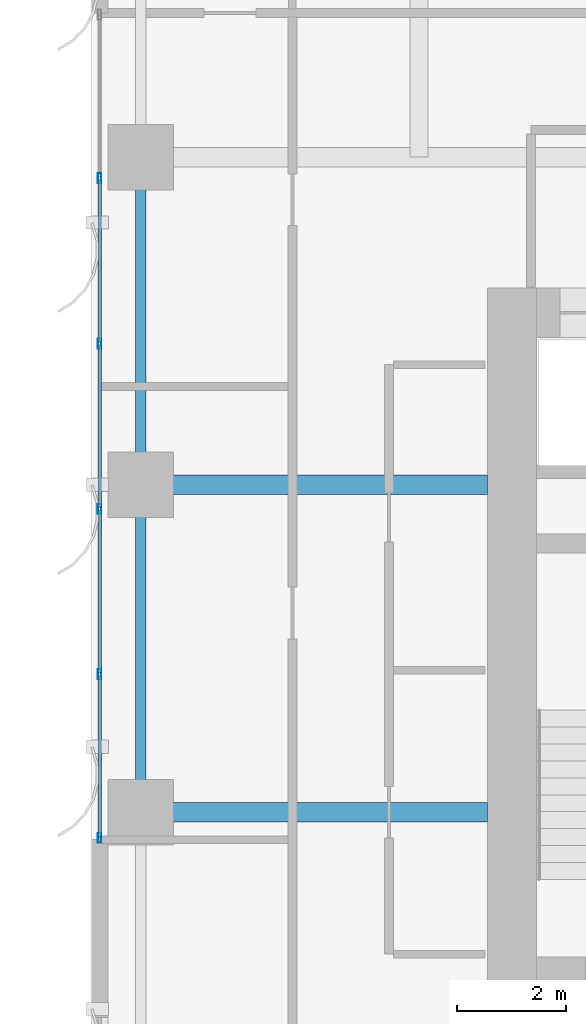
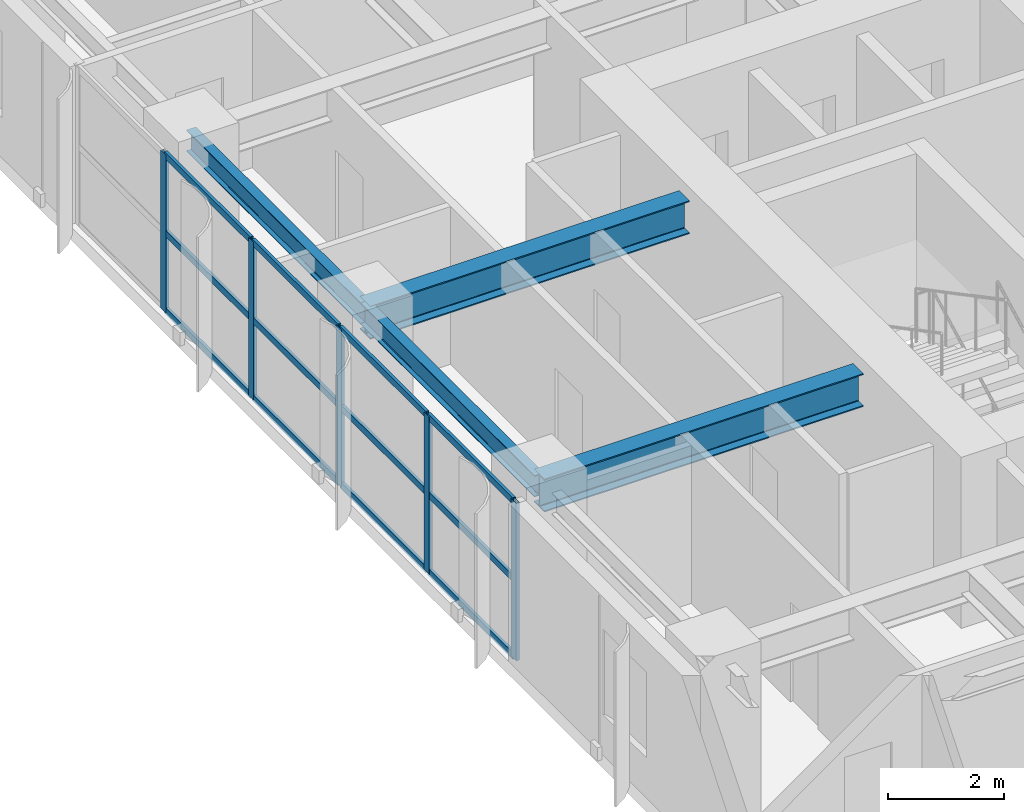
# One storey, part 5 of 25: 17 members, 4 beams, 1 element without a shape of its own.
"""IFC4 building model written with IfcOpenShell, lengths in metres."""

from ifc_helpers import new_model, si_unit, direction, frame, origin, origin_2d, place, context, subcontext, project, spatial, hollow_rectangle, i_section, extrude, source, transform, mapped, material, layer, layer_set, material_profile, profile_set, type_object, element, aggregate, save


model = new_model("IFC4")

# Units and contexts
model_context = context("Model", 3, precision=1e-05, world=origin(), true_north=direction((0.0, 1.0)))
body_context = subcontext(model_context, "Body", "Model", "MODEL_VIEW")
ifc_project = project(units=[si_unit("LENGTHUNIT", "METRE"), si_unit("AREAUNIT", "SQUARE_METRE"), si_unit("VOLUMEUNIT", "CUBIC_METRE"), si_unit("PLANEANGLEUNIT", "RADIAN"), si_unit("MASSUNIT", "GRAM", prefix="KILO")], contexts=[model_context])

# Site, building, storey
site_placement = place(None, origin())
site = spatial("IfcSite", under=ifc_project, at=site_placement, CompositionType="ELEMENT")
building_placement = place(site_placement, origin())
building = spatial("IfcBuilding", under=site, at=building_placement, Name="Khoralis Quay Care Tower", CompositionType="ELEMENT")
storey_placement = place(building_placement, frame((0.0, 0.0, 65.699951171875)))
storey = spatial("IfcBuildingStorey", under=building, at=storey_placement, Name="L17", CompositionType="ELEMENT", Elevation=65.699951171875)

# Beams
ifc_material_1 = material(Name="Steel S355", Category="steel")
ifc_material_profile_1 = material_profile(ifc_material_1, i_section(OverallWidth=0.18994140625, OverallDepth=0.449951171875, WebThickness=0.009521484375, FlangeThickness=0.0146484375, FilletRadius=0.02099609375, at=origin_2d()), Name="Steel S355")
ifc_profile_set_1 = profile_set([ifc_material_profile_1], Name="Steel S355")
beam_type_1 = type_object("IfcBeamType", Name="BM-IPE450", PredefinedType="SPANDREL", material=ifc_profile_set_1)
shared_shape_1 = source(origin(), body_context, "Body", "SweptSolid", [
    extrude(i_section(OverallWidth=0.18994140625, OverallDepth=0.449951171875, WebThickness=0.009521484375, FlangeThickness=0.0146484375, FilletRadius=0.02099609375, at=origin_2d()), origin(), (0.0, 0.0, 1.0), 6.0),
])
for number, where, z_axis, x_axis, name in (
    (1, (0.89990234375, 18.0, 3.094970703125), (0.0, 1.0, 0.0), (-1.0, 0.0, 0.0), "BM-TSP-L17-15"),
    (2, (0.89990234375, 24.0, 3.094970703125), (0.0, 1.0, 0.0), (-1.0, 0.0, 0.0), "BM-TSP-L17-16"),
):
    element("IfcBeam", number, at=place(storey_placement, frame(where, z_axis=z_axis, x_axis=x_axis)), inside=storey, type_object=beam_type_1, Name=name, PredefinedType="SPANDREL", context=body_context, shape_type="MappedRepresentation", body=[
        mapped(shared_shape_1, transform((0.0, 0.0, 0.0), scale=1.0)),
    ])
ifc_material_profile_2 = material_profile(ifc_material_1, i_section(OverallWidth=0.35498046875, OverallDepth=0.695068359375, WebThickness=0.015380859375, FlangeThickness=0.02490234375, FilletRadius=0.02001953125, at=origin_2d()), Name="Steel S355")
ifc_profile_set_2 = profile_set([ifc_material_profile_2], Name="Steel S355")
beam_type_2 = type_object("IfcBeamType", Name="BM-W690X217", PredefinedType="BEAM", material=ifc_profile_set_2)
shared_shape_2 = source(origin(), body_context, "Body", "SweptSolid", [
    extrude(i_section(OverallWidth=0.35498046875, OverallDepth=0.695068359375, WebThickness=0.015380859375, FlangeThickness=0.02490234375, FilletRadius=0.02001953125, at=origin_2d()), origin(), (0.0, 0.0, 1.0), 6.35205078125),
])
for number, where, z_axis, x_axis, name in (
    (3, (0.89990234375, 18.0, 2.97265625), (1.0, 0.0, 0.0), (0.0, 1.0, 0.0), "BM-TGXW-L17-180"),
    (4, (0.89990234375, 24.0, 2.97265625), (1.0, 0.0, 0.0), (0.0, 1.0, 0.0), "BM-TGXW-L17-240"),
):
    element("IfcBeam", number, at=place(storey_placement, frame(where, z_axis=z_axis, x_axis=x_axis)), inside=storey, type_object=beam_type_2, Name=name, PredefinedType="BEAM", context=body_context, shape_type="MappedRepresentation", body=[
        mapped(shared_shape_2, transform((0.0, 0.0, 0.0), scale=1.0)),
    ])

# Curtain wall, members
ifc_material_2 = material(Name="Pale anodised aluminium", Category="aluminium")
ifc_layer = layer(ifc_material_2, 0.179931640625)
ifc_layer_set = layer_set([ifc_layer], Name="Pale anodised aluminium")
curtain_wall_type = type_object("IfcCurtainWallType", Name="CW-SYS-Z1", PredefinedType="NOTDEFINED", material=ifc_layer_set)
curtain_wall_placement = place(storey_placement, origin())
curtain_wall = element("IfcCurtainWall", 5, at=curtain_wall_placement, inside=storey, type_object=curtain_wall_type, Name="L17 Unitised Curtain Wall CW-L17-P1-E15", PredefinedType="NOTDEFINED")
ifc_material_profile_3 = material_profile(ifc_material_2, hollow_rectangle(XDim=0.06494140625, YDim=0.179931640625, WallThickness=0.00390625, at=origin_2d()), Name="Pale anodised aluminium")
ifc_profile_set_3 = profile_set([ifc_material_profile_3], Name="Pale anodised aluminium")
member_type_1 = type_object("IfcMemberType", Name="CW-MUL-180", PredefinedType="MULLION", material=ifc_profile_set_3)
shared_shape_3 = source(origin(), body_context, "Body", "SweptSolid", [
    extrude(hollow_rectangle(XDim=0.06494140625, YDim=0.179931640625, WallThickness=0.00390625, at=origin_2d()), origin(), (0.0, 0.0, 1.0), 3.320068359375),
])
member_1_placement = place(storey_placement, frame((0.14990234375, 29.612060546875, 0.0), z_axis=(0.0, 0.0, 1.0), x_axis=(1.0, 0.0, 0.0)))
member_1 = element("IfcMember", 6, at=member_1_placement, type_object=member_type_1, Name="CW1 mullion 2", PredefinedType="MULLION", context=body_context, shape_type="MappedRepresentation", body=[
    mapped(shared_shape_3, transform((0.0, 0.0, 0.0), scale=1.0)),
])
member_2_placement = place(storey_placement, frame((0.14990234375, 26.583984375, 0.0), z_axis=(0.0, 0.0, 1.0), x_axis=(1.0, 0.0, 0.0)))
member_2 = element("IfcMember", 7, at=member_2_placement, type_object=member_type_1, Name="CW1 mullion 3", PredefinedType="MULLION", context=body_context, shape_type="MappedRepresentation", body=[
    mapped(shared_shape_3, transform((0.0, 0.0, 0.0), scale=1.0)),
])
member_3_placement = place(storey_placement, frame((0.14990234375, 23.555908203125, 0.0), z_axis=(0.0, 0.0, 1.0), x_axis=(1.0, 0.0, 0.0)))
member_3 = element("IfcMember", 8, at=member_3_placement, type_object=member_type_1, Name="CW1 mullion 4", PredefinedType="MULLION", context=body_context, shape_type="MappedRepresentation", body=[
    mapped(shared_shape_3, transform((0.0, 0.0, 0.0), scale=1.0)),
])
member_4_placement = place(storey_placement, frame((0.14990234375, 20.528076171875, 0.0), z_axis=(0.0, 0.0, 1.0), x_axis=(1.0, 0.0, 0.0)))
member_4 = element("IfcMember", 9, at=member_4_placement, type_object=member_type_1, Name="CW1 mullion 5", PredefinedType="MULLION", context=body_context, shape_type="MappedRepresentation", body=[
    mapped(shared_shape_3, transform((0.0, 0.0, 0.0), scale=1.0)),
])
member_5_placement = place(storey_placement, frame((0.14990234375, 17.530029296875, 0.0), z_axis=(0.0, 0.0, 1.0), x_axis=(1.0, 0.0, 0.0)))
member_5 = element("IfcMember", 10, at=member_5_placement, type_object=member_type_1, Name="CW1 mullion 6", PredefinedType="MULLION", context=body_context, shape_type="MappedRepresentation", body=[
    mapped(shared_shape_3, transform((0.0, 0.0, 0.0), scale=1.0)),
])
ifc_material_profile_4 = material_profile(ifc_material_2, hollow_rectangle(XDim=0.06005859375, YDim=0.139892578125, WallThickness=0.00390625, at=origin_2d()), Name="Pale anodised aluminium")
ifc_profile_set_4 = profile_set([ifc_material_profile_4], Name="Pale anodised aluminium")
member_type_2 = type_object("IfcMemberType", Name="CW-TRN-140", PredefinedType="USERDEFINED", material=ifc_profile_set_4)
shared_shape_4 = source(origin(), body_context, "Body", "SweptSolid", [
    extrude(hollow_rectangle(XDim=0.06005859375, YDim=0.139892578125, WallThickness=0.00390625, at=origin_2d()), origin(), (0.0, 0.0, 1.0), 2.93798828125),
])
member_6_placement = place(storey_placement, frame((0.14990234375, 20.498046875, 0.030029296875), z_axis=(0.0, -1.0, 0.0), x_axis=(1.0, 0.0, 0.0)))
member_6 = element("IfcMember", 11, at=member_6_placement, type_object=member_type_2, Name="CW1 transom 5.1", ObjectType="TRANSOM", PredefinedType="USERDEFINED", context=body_context, shape_type="MappedRepresentation", body=[
    mapped(shared_shape_4, transform((0.0, 0.0, 0.0), scale=1.0)),
])
member_7_placement = place(storey_placement, frame((0.14990234375, 20.498046875, 1.66015625), z_axis=(0.0, -1.0, 0.0), x_axis=(1.0, 0.0, 0.0)))
member_7 = element("IfcMember", 12, at=member_7_placement, type_object=member_type_2, Name="CW1 transom 5.2", ObjectType="TRANSOM", PredefinedType="USERDEFINED", context=body_context, shape_type="MappedRepresentation", body=[
    mapped(shared_shape_4, transform((0.0, 0.0, 0.0), scale=1.0)),
])
member_8_placement = place(storey_placement, frame((0.14990234375, 20.498046875, 3.2900390625), z_axis=(0.0, -1.0, 0.0), x_axis=(1.0, 0.0, 0.0)))
member_8 = element("IfcMember", 13, at=member_8_placement, type_object=member_type_2, Name="CW1 transom 5.3", ObjectType="TRANSOM", PredefinedType="USERDEFINED", context=body_context, shape_type="MappedRepresentation", body=[
    mapped(shared_shape_4, transform((0.0, 0.0, 0.0), scale=1.0)),
])
shared_shape_5 = source(origin(), body_context, "Body", "SweptSolid", [
    extrude(hollow_rectangle(XDim=0.06005859375, YDim=0.139892578125, WallThickness=0.00390625, at=origin_2d()), origin(), (0.0, 0.0, 1.0), 2.9677734375),
])
member_9_placement = place(storey_placement, frame((0.14990234375, 23.52587890625, 0.030029296875), z_axis=(0.0, -1.0, 0.0), x_axis=(1.0, 0.0, 0.0)))
member_9 = element("IfcMember", 14, at=member_9_placement, type_object=member_type_2, Name="CW1 transom 4.1", ObjectType="TRANSOM", PredefinedType="USERDEFINED", context=body_context, shape_type="MappedRepresentation", body=[
    mapped(shared_shape_5, transform((0.0, 0.0, 0.0), scale=1.0)),
])
member_10_placement = place(storey_placement, frame((0.14990234375, 23.52587890625, 1.66015625), z_axis=(0.0, -1.0, 0.0), x_axis=(1.0, 0.0, 0.0)))
member_10 = element("IfcMember", 15, at=member_10_placement, type_object=member_type_2, Name="CW1 transom 4.2", ObjectType="TRANSOM", PredefinedType="USERDEFINED", context=body_context, shape_type="MappedRepresentation", body=[
    mapped(shared_shape_5, transform((0.0, 0.0, 0.0), scale=1.0)),
])
member_11_placement = place(storey_placement, frame((0.14990234375, 23.52587890625, 3.2900390625), z_axis=(0.0, -1.0, 0.0), x_axis=(1.0, 0.0, 0.0)))
member_11 = element("IfcMember", 16, at=member_11_placement, type_object=member_type_2, Name="CW1 transom 4.3", ObjectType="TRANSOM", PredefinedType="USERDEFINED", context=body_context, shape_type="MappedRepresentation", body=[
    mapped(shared_shape_5, transform((0.0, 0.0, 0.0), scale=1.0)),
])
shared_shape_6 = source(origin(), body_context, "Body", "SweptSolid", [
    extrude(hollow_rectangle(XDim=0.06005859375, YDim=0.139892578125, WallThickness=0.00390625, at=origin_2d()), origin(), (0.0, 0.0, 1.0), 2.968017578125),
])
member_12_placement = place(storey_placement, frame((0.14990234375, 29.58203125, 0.030029296875), z_axis=(0.0, -1.0, 0.0), x_axis=(1.0, 0.0, 0.0)))
member_12 = element("IfcMember", 17, at=member_12_placement, type_object=member_type_2, Name="CW1 transom 2.1", ObjectType="TRANSOM", PredefinedType="USERDEFINED", context=body_context, shape_type="MappedRepresentation", body=[
    mapped(shared_shape_6, transform((0.0, 0.0, 0.0), scale=1.0)),
])
member_13_placement = place(storey_placement, frame((0.14990234375, 29.58203125, 1.66015625), z_axis=(0.0, -1.0, 0.0), x_axis=(1.0, 0.0, 0.0)))
member_13 = element("IfcMember", 18, at=member_13_placement, type_object=member_type_2, Name="CW1 transom 2.2", ObjectType="TRANSOM", PredefinedType="USERDEFINED", context=body_context, shape_type="MappedRepresentation", body=[
    mapped(shared_shape_6, transform((0.0, 0.0, 0.0), scale=1.0)),
])
member_14_placement = place(storey_placement, frame((0.14990234375, 29.58203125, 3.2900390625), z_axis=(0.0, -1.0, 0.0), x_axis=(1.0, 0.0, 0.0)))
member_14 = element("IfcMember", 19, at=member_14_placement, type_object=member_type_2, Name="CW1 transom 2.3", ObjectType="TRANSOM", PredefinedType="USERDEFINED", context=body_context, shape_type="MappedRepresentation", body=[
    mapped(shared_shape_6, transform((0.0, 0.0, 0.0), scale=1.0)),
])
member_15_placement = place(storey_placement, frame((0.14990234375, 26.553955078125, 0.030029296875), z_axis=(0.0, -1.0, 0.0), x_axis=(1.0, 0.0, 0.0)))
member_15 = element("IfcMember", 20, at=member_15_placement, type_object=member_type_2, Name="CW1 transom 3.1", ObjectType="TRANSOM", PredefinedType="USERDEFINED", context=body_context, shape_type="MappedRepresentation", body=[
    mapped(shared_shape_6, transform((0.0, 0.0, 0.0), scale=1.0)),
])
member_16_placement = place(storey_placement, frame((0.14990234375, 26.553955078125, 1.66015625), z_axis=(0.0, -1.0, 0.0), x_axis=(1.0, 0.0, 0.0)))
member_16 = element("IfcMember", 21, at=member_16_placement, type_object=member_type_2, Name="CW1 transom 3.2", ObjectType="TRANSOM", PredefinedType="USERDEFINED", context=body_context, shape_type="MappedRepresentation", body=[
    mapped(shared_shape_6, transform((0.0, 0.0, 0.0), scale=1.0)),
])
member_17_placement = place(storey_placement, frame((0.14990234375, 26.553955078125, 3.2900390625), z_axis=(0.0, -1.0, 0.0), x_axis=(1.0, 0.0, 0.0)))
member_17 = element("IfcMember", 22, at=member_17_placement, type_object=member_type_2, Name="CW1 transom 3.3", ObjectType="TRANSOM", PredefinedType="USERDEFINED", context=body_context, shape_type="MappedRepresentation", body=[
    mapped(shared_shape_6, transform((0.0, 0.0, 0.0), scale=1.0)),
])
aggregate(curtain_wall, [member_1, member_2, member_3, member_4, member_5, member_12, member_13, member_14, member_15, member_16, member_17, member_9, member_10, member_11, member_6, member_7, member_8])

save(model, "model.ifc")
